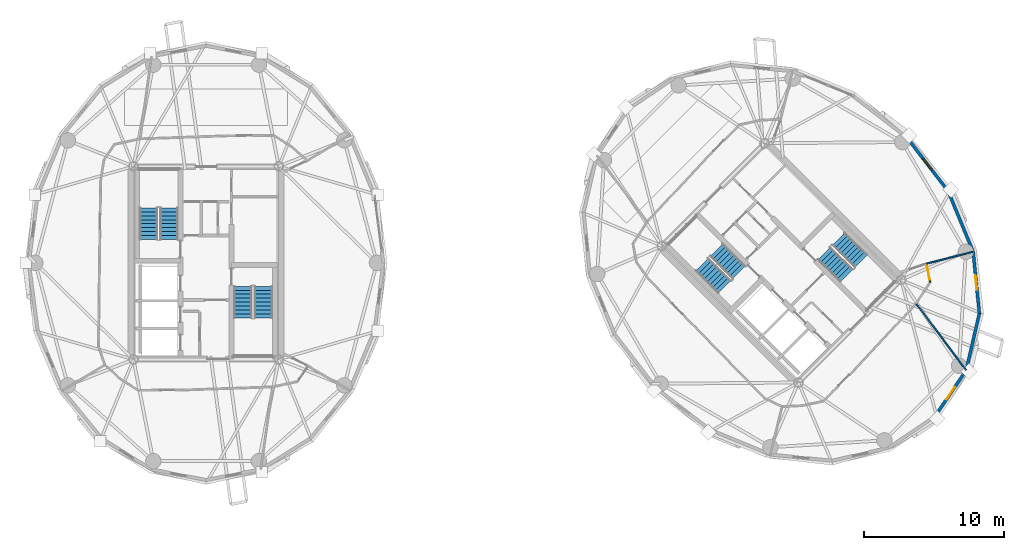
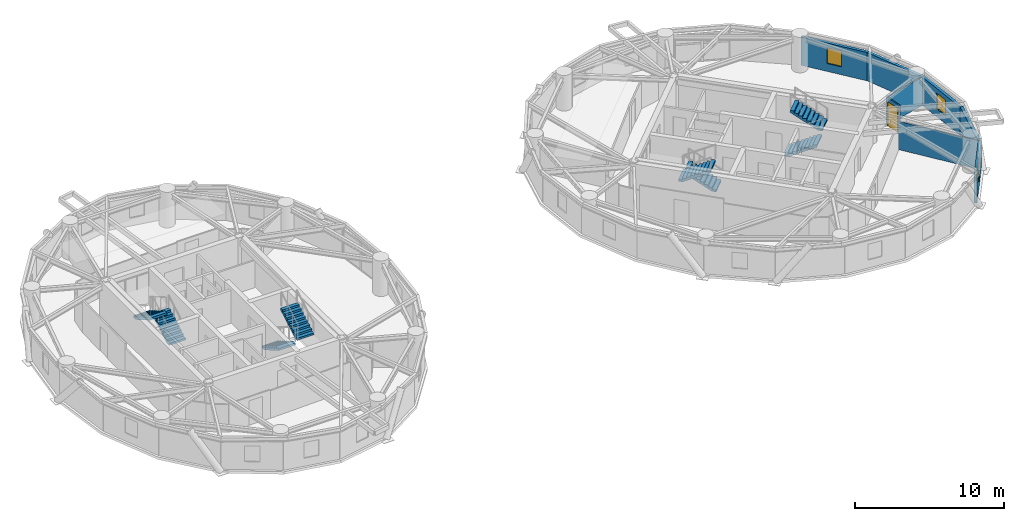
# One storey, part 12 of 14: 8 stair flights, 8 walls, 3 windows, 1 door, 4 openings, 4 elements without a shape of their own.
"""IFC4 building model written with IfcOpenShell, lengths in metres."""

from ifc_helpers import new_model, si_unit, direction, frame, frame_2d, origin, place, context, subcontext, project, spatial, polyline, rectangle, outline, extrude, source, transform, mapped, material, layer, layer_set, type_object, element, fill, aggregate, save


model = new_model("IFC4")

# Units and contexts
model_context = context("Model", 3, precision=1e-05, world=origin(), true_north=direction((0.0, 1.0)))
body_context = subcontext(model_context, "Body", "Model", "MODEL_VIEW")
ifc_project = project(units=[si_unit("LENGTHUNIT", "METRE"), si_unit("AREAUNIT", "SQUARE_METRE"), si_unit("VOLUMEUNIT", "CUBIC_METRE"), si_unit("PLANEANGLEUNIT", "RADIAN"), si_unit("MASSUNIT", "GRAM", prefix="KILO")], contexts=[model_context])

# Site, building, storey
site_placement = place(None, origin())
site = spatial("IfcSite", under=ifc_project, at=site_placement, CompositionType="ELEMENT")
building_placement = place(site_placement, origin())
building = spatial("IfcBuilding", under=site, at=building_placement, Name="Cununo Teusaquillo Station Towers", CompositionType="ELEMENT")
storey_placement = place(building_placement, frame((0.0, 0.0, 202.47998046875)))
storey = spatial("IfcBuildingStorey", under=building, at=storey_placement, Name="L64", CompositionType="ELEMENT", Elevation=202.47998046875)

# Wall, opening, window
ifc_material_1 = material(Name="Precast concrete C40/50", Category="concrete")
ifc_layer_1 = layer(ifc_material_1, 0.219970703125)
ifc_layer_set_1 = layer_set([ifc_layer_1], Name="Precast concrete C40/50")
wall_type_1 = type_object("IfcWallType", Name="WL-EXT-220", PredefinedType="SOLIDWALL", material=ifc_layer_set_1)
wall_1_placement = place(storey_placement, frame((70.663330078125, 16.856201171875, 0.0), z_axis=(0.0, 0.0, 1.0), x_axis=(-0.559495003079, -0.828833723692, 0.0)))
wall_1 = element("IfcWall", 1, at=wall_1_placement, inside=storey, type_object=wall_type_1, Name="L64 Tower B Exterior Facade Wall C15", PredefinedType="SOLIDWALL", context=body_context, shape_type="SweptSolid", body=[
    extrude(rectangle(XDim=3.9755859375, YDim=0.219970703125, at=frame_2d((1.98779296875, 0.0))), origin(), (0.0, 0.0, 1.0), 2.322021484375),
])
shared_shape_1 = source(origin(), body_context, "Body", "SweptSolid", [
    extrude(rectangle(XDim=1.050048828125, YDim=1.300048828125, at=frame_2d((0.52490234375, 0.64990234375))), frame((0.0, 0.119873046875, 0.0), z_axis=(0.0, -1.0, 0.0), x_axis=(1.0, 0.0, 0.0)), (0.0, 0.0, 1.0), 0.239990234375),
])
opening_1_placement = place(wall_1_placement, frame((1.462890625, 0.0, 0.64990234375)))
opening_1 = element("IfcOpeningElement", 2, at=opening_1_placement, cuts=wall_1, Name="Opening WN-04", PredefinedType="OPENING", context=body_context, shape_type="MappedRepresentation", body=[
    mapped(shared_shape_1, transform((0.0, 0.0, 0.0), x_axis=(1.0, 0.0, 0.0), y_axis=(0.0, 1.0, 0.0), z_axis=(0.0, 0.0, 1.0), scale=1.0)),
])
ifc_material_2 = material(Name="Operable acoustic tinted low-E double glazing", Category="glass")
window_type = type_object("IfcWindowType", Name="WIN-BAL-1050", PartitioningType="SINGLE_PANEL", PredefinedType="WINDOW", material=ifc_material_2)
shared_shape_2 = source(origin(), body_context, "Body", "SweptSolid", [
    extrude(rectangle(XDim=1.050048828125, YDim=1.300048828125, at=frame_2d((0.52490234375, 0.64990234375))), frame((0.0, 0.030029296875, 0.0), z_axis=(0.0, -1.0, 0.0), x_axis=(1.0, 0.0, 0.0)), (0.0, 0.0, 1.0), 0.06005859375),
])
window_1_placement = place(opening_1_placement, origin())
window_1 = element("IfcWindow", 3, at=window_1_placement, inside=storey, type_object=window_type, Name="L64 Tower B Facade Window C15", OverallHeight=1.300048828125, OverallWidth=1.050048828125, PartitioningType="SINGLE_PANEL", PredefinedType="WINDOW", context=body_context, shape_type="MappedRepresentation", body=[
    mapped(shared_shape_2, transform((0.0, 0.0, 0.0), x_axis=(1.0, 0.0, 0.0), y_axis=(0.0, 1.0, 0.0), z_axis=(0.0, 0.0, 1.0), scale=1.0)),
])
fill(opening_1, window_1)

# Wall
wall_2_placement = place(storey_placement, frame((71.59912109375, 20.899658203125, 0.0), z_axis=(0.0, 0.0, 1.0), x_axis=(-0.225473813158, -0.974249228678, 0.0)))
element("IfcWall", 4, at=wall_2_placement, inside=storey, type_object=wall_type_1, Name="L64 Tower B Exterior Facade Wall C16", PredefinedType="SOLIDWALL", context=body_context, shape_type="SweptSolid", body=[
    extrude(rectangle(XDim=4.150390625, YDim=0.219970703125, at=frame_2d((2.0751953125, 0.0))), origin(), (0.0, 0.0, 1.0), 2.322021484375),
])

# Wall, opening, window
wall_3_placement = place(storey_placement, frame((71.15478515625, 25.29541015625, 0.0), z_axis=(0.0, 0.0, 1.0), x_axis=(0.100570534541, -0.994929930991, 0.0)))
wall_3 = element("IfcWall", 5, at=wall_3_placement, inside=storey, type_object=wall_type_1, Name="L64 Tower B Exterior Facade Wall C17", PredefinedType="SOLIDWALL", context=body_context, shape_type="SweptSolid", body=[
    extrude(rectangle(XDim=4.418212890625, YDim=0.219970703125, at=frame_2d((2.208984375, 0.0))), origin(), (0.0, 0.0, 1.0), 2.322021484375),
])
opening_2_placement = place(wall_3_placement, frame((1.68408203125, 0.0, 0.64990234375)))
opening_2 = element("IfcOpeningElement", 6, at=opening_2_placement, cuts=wall_3, Name="Opening WN-04", PredefinedType="OPENING", context=body_context, shape_type="MappedRepresentation", body=[
    mapped(shared_shape_1, transform((0.0, 0.0, 0.0), x_axis=(1.0, 0.0, 0.0), y_axis=(0.0, 1.0, 0.0), z_axis=(0.0, 0.0, 1.0), scale=1.0)),
])
window_2_placement = place(opening_2_placement, origin())
window_2 = element("IfcWindow", 7, at=window_2_placement, inside=storey, type_object=window_type, Name="L64 Tower B Facade Window C17", OverallHeight=1.300048828125, OverallWidth=1.050048828125, PartitioningType="SINGLE_PANEL", PredefinedType="WINDOW", context=body_context, shape_type="MappedRepresentation", body=[
    mapped(shared_shape_2, transform((0.0, 0.0, 0.0), x_axis=(1.0, 0.0, 0.0), y_axis=(0.0, 1.0, 0.0), z_axis=(0.0, 0.0, 1.0), scale=1.0)),
])
fill(opening_2, window_2)

# Wall
wall_4_placement = place(storey_placement, frame((69.373779296875, 29.61328125, 0.0), z_axis=(0.0, 0.0, 1.0), x_axis=(0.381309704956, -0.924447353237, 0.0)))
element("IfcWall", 8, at=wall_4_placement, inside=storey, type_object=wall_type_1, Name="L64 Tower B Exterior Facade Wall C18", PredefinedType="SOLIDWALL", context=body_context, shape_type="SweptSolid", body=[
    extrude(rectangle(XDim=4.670654296875, YDim=0.219970703125, at=frame_2d((2.33544921875, 0.0))), origin(), (0.0, 0.0, 1.0), 2.322021484375),
])

# Wall, opening, window
wall_5_placement = place(storey_placement, frame((66.430908203125, 33.430908203125, 0.0), z_axis=(0.0, 0.0, 1.0), x_axis=(0.610523083886, -0.791998462147, 0.0)))
wall_5 = element("IfcWall", 9, at=wall_5_placement, inside=storey, type_object=wall_type_1, Name="L64 Tower B Exterior Facade Wall C19", PredefinedType="SOLIDWALL", context=body_context, shape_type="SweptSolid", body=[
    extrude(rectangle(XDim=4.8203125, YDim=0.219970703125, at=frame_2d((2.41015625, 0.0))), origin(), (0.0, 0.0, 1.0), 2.322021484375),
])
opening_3_placement = place(wall_5_placement, frame((1.885009765625, 0.0, 0.64990234375)))
opening_3 = element("IfcOpeningElement", 10, at=opening_3_placement, cuts=wall_5, Name="Opening WN-04", PredefinedType="OPENING", context=body_context, shape_type="MappedRepresentation", body=[
    mapped(shared_shape_1, transform((0.0, 0.0, 0.0), x_axis=(1.0, 0.0, 0.0), y_axis=(0.0, 1.0, 0.0), z_axis=(0.0, 0.0, 1.0), scale=1.0)),
])
window_3_placement = place(opening_3_placement, origin())
window_3 = element("IfcWindow", 11, at=window_3_placement, inside=storey, type_object=window_type, Name="L64 Tower B Facade Window C19", OverallHeight=1.300048828125, OverallWidth=1.050048828125, PartitioningType="SINGLE_PANEL", PredefinedType="WINDOW", context=body_context, shape_type="MappedRepresentation", body=[
    mapped(shared_shape_2, transform((0.0, 0.0, 0.0), x_axis=(1.0, 0.0, 0.0), y_axis=(0.0, 1.0, 0.0), z_axis=(0.0, 0.0, 1.0), scale=1.0)),
])
fill(opening_3, window_3)

# Wall, opening, door
ifc_material_3 = material(Name="Fire-rated gypsum plasterboard partition assembly", Category="gypsum")
ifc_layer_2 = layer(ifc_material_3, 0.10009765625)
ifc_layer_set_2 = layer_set([ifc_layer_2], Name="Fire-rated gypsum plasterboard partition assembly")
wall_type_2 = type_object("IfcWallType", Name="WL-PART-100", PredefinedType="MOVABLE", material=ifc_layer_set_2)
wall_6_placement = place(storey_placement, frame((68.08642578125, 23.12939453125, 0.0), z_axis=(0.0, 0.0, 1.0), x_axis=(-0.182004193146, 0.983297754334, 0.0)))
wall_6 = element("IfcWall", 12, at=wall_6_placement, inside=storey, type_object=wall_type_2, Name="L64 Tower B Corridor Ring Wall C17", PredefinedType="MOVABLE", context=body_context, shape_type="SweptSolid", body=[
    extrude(rectangle(XDim=1.3359375, YDim=0.10009765625, at=frame_2d((0.66796875, 0.0))), origin(), (0.0, 0.0, 1.0), 2.322021484375),
])
shared_shape_3 = source(origin(), body_context, "Body", "SweptSolid", [
    extrude(rectangle(XDim=1.0, YDim=2.014892578125, at=frame_2d((0.5, 1.00732421875))), frame((0.0, 0.06005859375, 0.0), z_axis=(0.0, -1.0, 0.0), x_axis=(1.0, 0.0, 0.0)), (0.0, 0.0, 1.0), 0.1201171875),
])
opening_4_placement = place(wall_6_placement, frame((0.16796875, 0.0, 0.0)))
opening_4 = element("IfcOpeningElement", 13, at=opening_4_placement, cuts=wall_6, Name="Opening D-AC1", PredefinedType="OPENING", context=body_context, shape_type="MappedRepresentation", body=[
    mapped(shared_shape_3, transform((0.0, 0.0, 0.0), x_axis=(1.0, 0.0, 0.0), y_axis=(0.0, 1.0, 0.0), z_axis=(0.0, 0.0, 1.0), scale=1.0)),
])
ifc_material_4 = material(Name="Acoustic solid-core hardwood leaf assembly", Category="wood")
door_type = type_object("IfcDoorType", Name="DR-ACC-1000", OperationType="NOTDEFINED", PredefinedType="DOOR", material=ifc_material_4)
shared_shape_4 = source(origin(), body_context, "Body", "SweptSolid", [
    extrude(rectangle(XDim=1.0, YDim=2.014892578125, at=frame_2d((0.5, 1.00732421875))), frame((0.0, 0.02490234375, 0.0), z_axis=(0.0, -1.0, 0.0), x_axis=(1.0, 0.0, 0.0)), (0.0, 0.0, 1.0), 0.050048828125),
])
door_placement = place(opening_4_placement, origin())
door = element("IfcDoor", 14, at=door_placement, inside=storey, type_object=door_type, Name="L64 Tower B Public Accessible Restroom WC Entrance Door", OperationType="SINGLE_SWING_LEFT", OverallHeight=2.014892578125, OverallWidth=1.0, PredefinedType="DOOR", context=body_context, shape_type="MappedRepresentation", body=[
    mapped(shared_shape_4, transform((0.0, 0.0, 0.0), x_axis=(1.0, 0.0, 0.0), y_axis=(0.0, 1.0, 0.0), z_axis=(0.0, 0.0, 1.0), scale=1.0)),
])
fill(opening_4, door)

# Walls
wall_7_placement = place(storey_placement, frame((67.09521484375, 21.599609375, 0.0), z_axis=(0.0, 0.0, 1.0), x_axis=(0.599947190798, -0.800039604178, 0.0)))
element("IfcWall", 15, at=wall_7_placement, inside=storey, type_object=wall_type_2, Name="L64 Tower B Radial Suite Partition R04", PredefinedType="MOVABLE", context=body_context, shape_type="SweptSolid", body=[
    extrude(rectangle(XDim=5.917724609375, YDim=0.10009765625, at=frame_2d((2.958984375, 0.0))), origin(), (0.0, 0.0, 1.0), 2.322021484375),
])
wall_8_placement = place(storey_placement, frame((67.84326171875, 24.443115234375, 0.0), z_axis=(0.0, 0.0, 1.0), x_axis=(0.968303102463, 0.249778105048, 0.0)))
element("IfcWall", 16, at=wall_8_placement, inside=storey, type_object=wall_type_2, Name="L64 Tower B Radial Suite Partition R05", PredefinedType="MOVABLE", context=body_context, shape_type="SweptSolid", body=[
    extrude(rectangle(XDim=3.3994140625, YDim=0.10009765625, at=frame_2d((1.69970703125, 0.0))), origin(), (0.0, 0.0, 1.0), 2.322021484375),
])

# Stair, stair flights
ifc_material_5 = material(Name="Concrete C50/60", Category="concrete")
stair_type = type_object("IfcStairType", Name="ST-TWR-1300", PredefinedType="HALF_TURN_STAIR", material=ifc_material_5)
stair_1_placement = place(storey_placement, origin())
stair_1 = element("IfcStair", 17, at=stair_1_placement, inside=storey, type_object=stair_type, Name="L64 Tower A Protected Core Exit Stair 1", PredefinedType="HALF_TURN_STAIR")
ifc_material_6 = material(Name="Concrete C50/60", Category="concrete")
stair_flight_type = type_object("IfcStairFlightType", Name="SFL-TWR-1300", PredefinedType="STRAIGHT", material=ifc_material_6)
stair_flight_1_placement = place(storey_placement, frame((13.8701171875, 26.169921875, 0.0), z_axis=(0.0, 0.0, 1.0), x_axis=(0.0, 1.0, 0.0)))
stair_flight_1 = element("IfcStairFlight", 18, at=stair_flight_1_placement, type_object=stair_flight_type, Name="ST-T1-1 flight 1", NumberOfRisers=9, NumberOfTreads=8, PredefinedType="STRAIGHT", RiserHeight=0.161666667, TreadLength=0.28, context=body_context, shape_type="SweptSolid", body=[
    extrude(outline(polyline([(0.0, 0.0), (0.0, 0.16162109375), (0.280029296875, 0.16162109375), (0.280029296875, 0.3232421875), (0.56005859375, 0.3232421875), (0.56005859375, 0.485107421875), (0.840087890625, 0.485107421875), (0.840087890625, 0.646728515625), (1.1201171875, 0.646728515625), (1.1201171875, 0.808349609375), (1.39990234375, 0.808349609375), (1.39990234375, 0.969970703125), (1.679931640625, 0.969970703125), (1.679931640625, 1.131591796875), (1.9599609375, 1.131591796875), (1.9599609375, 1.293212890625), (2.239990234375, 1.293212890625), (2.239990234375, 1.455078125), (2.239990234375, 1.1201171875), (0.2998046875, 0.0), (0.0, 0.0)])), frame((0.0, 0.64990234375, 0.0), z_axis=(0.0, -1.0, 0.0), x_axis=(1.0, 0.0, 0.0)), (0.0, 0.0, 1.0), 1.300048828125),
])
stair_flight_2_placement = place(storey_placement, frame((12.409912109375, 28.409912109375, 1.455078125), z_axis=(0.0, 0.0, 1.0), x_axis=(0.0, -1.0, 0.0)))
stair_flight_2 = element("IfcStairFlight", 19, at=stair_flight_2_placement, type_object=stair_flight_type, Name="ST-T1-1 flight 2", NumberOfRisers=9, NumberOfTreads=8, PredefinedType="STRAIGHT", RiserHeight=0.161666667, TreadLength=0.28, context=body_context, shape_type="SweptSolid", body=[
    extrude(outline(polyline([(0.0, 0.0), (0.0, 0.16162109375), (0.280029296875, 0.16162109375), (0.280029296875, 0.3232421875), (0.56005859375, 0.3232421875), (0.56005859375, 0.485107421875), (0.840087890625, 0.485107421875), (0.840087890625, 0.646728515625), (1.1201171875, 0.646728515625), (1.1201171875, 0.808349609375), (1.39990234375, 0.808349609375), (1.39990234375, 0.969970703125), (1.679931640625, 0.969970703125), (1.679931640625, 1.131591796875), (1.9599609375, 1.131591796875), (1.9599609375, 1.293212890625), (2.239990234375, 1.293212890625), (2.239990234375, 1.455078125), (2.239990234375, 1.1201171875), (0.2998046875, 0.0), (0.0, 0.0)])), frame((0.0, 0.64990234375, 0.0), z_axis=(0.0, -1.0, 0.0), x_axis=(1.0, 0.0, 0.0)), (0.0, 0.0, 1.0), 1.300048828125),
])
aggregate(stair_1, [stair_flight_1, stair_flight_2])

stair_2_placement = place(storey_placement, origin())
stair_2 = element("IfcStair", 20, at=stair_2_placement, inside=storey, type_object=stair_type, Name="L64 Tower A Protected Core Exit Stair 2", PredefinedType="HALF_TURN_STAIR")
stair_flight_3_placement = place(storey_placement, frame((19.1298828125, 22.830078125, 0.0), z_axis=(0.0, 0.0, 1.0), x_axis=(0.0, -1.0, 0.0)))
stair_flight_3 = element("IfcStairFlight", 21, at=stair_flight_3_placement, type_object=stair_flight_type, Name="ST-T1-2 flight 1", NumberOfRisers=9, NumberOfTreads=8, PredefinedType="STRAIGHT", RiserHeight=0.161666667, TreadLength=0.28, context=body_context, shape_type="SweptSolid", body=[
    extrude(outline(polyline([(0.0, 0.0), (0.0, 0.16162109375), (0.280029296875, 0.16162109375), (0.280029296875, 0.3232421875), (0.56005859375, 0.3232421875), (0.56005859375, 0.485107421875), (0.840087890625, 0.485107421875), (0.840087890625, 0.646728515625), (1.1201171875, 0.646728515625), (1.1201171875, 0.808349609375), (1.39990234375, 0.808349609375), (1.39990234375, 0.969970703125), (1.679931640625, 0.969970703125), (1.679931640625, 1.131591796875), (1.9599609375, 1.131591796875), (1.9599609375, 1.293212890625), (2.239990234375, 1.293212890625), (2.239990234375, 1.455078125), (2.239990234375, 1.1201171875), (0.2998046875, 0.0), (0.0, 0.0)])), frame((0.0, 0.64990234375, 0.0), z_axis=(0.0, -1.0, 0.0), x_axis=(1.0, 0.0, 0.0)), (0.0, 0.0, 1.0), 1.300048828125),
])
stair_flight_4_placement = place(storey_placement, frame((20.590087890625, 20.590087890625, 1.455078125), z_axis=(0.0, 0.0, 1.0), x_axis=(0.0, 1.0, 0.0)))
stair_flight_4 = element("IfcStairFlight", 22, at=stair_flight_4_placement, type_object=stair_flight_type, Name="ST-T1-2 flight 2", NumberOfRisers=9, NumberOfTreads=8, PredefinedType="STRAIGHT", RiserHeight=0.161666667, TreadLength=0.28, context=body_context, shape_type="SweptSolid", body=[
    extrude(outline(polyline([(0.0, 0.0), (0.0, 0.16162109375), (0.280029296875, 0.16162109375), (0.280029296875, 0.3232421875), (0.56005859375, 0.3232421875), (0.56005859375, 0.485107421875), (0.840087890625, 0.485107421875), (0.840087890625, 0.646728515625), (1.1201171875, 0.646728515625), (1.1201171875, 0.808349609375), (1.39990234375, 0.808349609375), (1.39990234375, 0.969970703125), (1.679931640625, 0.969970703125), (1.679931640625, 1.131591796875), (1.9599609375, 1.131591796875), (1.9599609375, 1.293212890625), (2.239990234375, 1.293212890625), (2.239990234375, 1.455078125), (2.239990234375, 1.1201171875), (0.2998046875, 0.0), (0.0, 0.0)])), frame((0.0, 0.64990234375, 0.0), z_axis=(0.0, -1.0, 0.0), x_axis=(1.0, 0.0, 0.0)), (0.0, 0.0, 1.0), 1.300048828125),
])
aggregate(stair_2, [stair_flight_3, stair_flight_4])

stair_3_placement = place(storey_placement, origin())
stair_3 = element("IfcStair", 23, at=stair_3_placement, inside=storey, type_object=stair_type, Name="L64 Tower B Protected Core Exit Stair 1", PredefinedType="HALF_TURN_STAIR")
stair_flight_5_placement = place(storey_placement, frame((54.45947265625, 23.8212890625, 0.0), z_axis=(0.0, 0.0, 1.0), x_axis=(-0.707106781187, 0.707106781187, 0.0)))
stair_flight_5 = element("IfcStairFlight", 24, at=stair_flight_5_placement, type_object=stair_flight_type, Name="ST-T2-1 flight 1", NumberOfRisers=9, NumberOfTreads=8, PredefinedType="STRAIGHT", RiserHeight=0.161666667, TreadLength=0.28, context=body_context, shape_type="SweptSolid", body=[
    extrude(outline(polyline([(0.0, 0.0), (0.0, 0.16162109375), (0.280029296875, 0.16162109375), (0.280029296875, 0.3232421875), (0.56005859375, 0.3232421875), (0.56005859375, 0.485107421875), (0.840087890625, 0.485107421875), (0.840087890625, 0.646728515625), (1.1201171875, 0.646728515625), (1.1201171875, 0.808349609375), (1.39990234375, 0.808349609375), (1.39990234375, 0.969970703125), (1.679931640625, 0.969970703125), (1.679931640625, 1.131591796875), (1.9599609375, 1.131591796875), (1.9599609375, 1.293212890625), (2.239990234375, 1.293212890625), (2.239990234375, 1.455078125), (2.239990234375, 1.1201171875), (0.2998046875, 0.0), (0.0, 0.0)])), frame((0.0, 0.64990234375, 0.0), z_axis=(0.0, -1.0, 0.0), x_axis=(1.0, 0.0, 0.0)), (0.0, 0.0, 1.0), 1.300048828125),
])
stair_flight_6_placement = place(storey_placement, frame((51.84326171875, 24.372802734375, 1.455078125), z_axis=(0.0, 0.0, 1.0), x_axis=(0.707106781187, -0.707106781187, 0.0)))
stair_flight_6 = element("IfcStairFlight", 25, at=stair_flight_6_placement, type_object=stair_flight_type, Name="ST-T2-1 flight 2", NumberOfRisers=9, NumberOfTreads=8, PredefinedType="STRAIGHT", RiserHeight=0.161666667, TreadLength=0.28, context=body_context, shape_type="SweptSolid", body=[
    extrude(outline(polyline([(0.0, 0.0), (0.0, 0.16162109375), (0.280029296875, 0.16162109375), (0.280029296875, 0.3232421875), (0.56005859375, 0.3232421875), (0.56005859375, 0.485107421875), (0.840087890625, 0.485107421875), (0.840087890625, 0.646728515625), (1.1201171875, 0.646728515625), (1.1201171875, 0.808349609375), (1.39990234375, 0.808349609375), (1.39990234375, 0.969970703125), (1.679931640625, 0.969970703125), (1.679931640625, 1.131591796875), (1.9599609375, 1.131591796875), (1.9599609375, 1.293212890625), (2.239990234375, 1.293212890625), (2.239990234375, 1.455078125), (2.239990234375, 1.1201171875), (0.2998046875, 0.0), (0.0, 0.0)])), frame((0.0, 0.64990234375, 0.0), z_axis=(0.0, -1.0, 0.0), x_axis=(1.0, 0.0, 0.0)), (0.0, 0.0, 1.0), 1.300048828125),
])
aggregate(stair_3, [stair_flight_5, stair_flight_6])

stair_4_placement = place(storey_placement, origin())
stair_4 = element("IfcStair", 26, at=stair_4_placement, inside=storey, type_object=stair_type, Name="L64 Tower B Protected Core Exit Stair 2", PredefinedType="HALF_TURN_STAIR")
stair_flight_7_placement = place(storey_placement, frame((60.54052734375, 25.1787109375, 0.0), z_axis=(0.0, 0.0, 1.0), x_axis=(0.707106781187, -0.707106781187, 0.0)))
stair_flight_7 = element("IfcStairFlight", 27, at=stair_flight_7_placement, type_object=stair_flight_type, Name="ST-T2-2 flight 1", NumberOfRisers=9, NumberOfTreads=8, PredefinedType="STRAIGHT", RiserHeight=0.161666667, TreadLength=0.28, context=body_context, shape_type="SweptSolid", body=[
    extrude(outline(polyline([(0.0, 0.0), (0.0, 0.16162109375), (0.280029296875, 0.16162109375), (0.280029296875, 0.3232421875), (0.56005859375, 0.3232421875), (0.56005859375, 0.485107421875), (0.840087890625, 0.485107421875), (0.840087890625, 0.646728515625), (1.1201171875, 0.646728515625), (1.1201171875, 0.808349609375), (1.39990234375, 0.808349609375), (1.39990234375, 0.969970703125), (1.679931640625, 0.969970703125), (1.679931640625, 1.131591796875), (1.9599609375, 1.131591796875), (1.9599609375, 1.293212890625), (2.239990234375, 1.293212890625), (2.239990234375, 1.455078125), (2.239990234375, 1.1201171875), (0.2998046875, 0.0), (0.0, 0.0)])), frame((0.0, 0.64990234375, 0.0), z_axis=(0.0, -1.0, 0.0), x_axis=(1.0, 0.0, 0.0)), (0.0, 0.0, 1.0), 1.300048828125),
])
stair_flight_8_placement = place(storey_placement, frame((63.15673828125, 24.627197265625, 1.455078125), z_axis=(0.0, 0.0, 1.0), x_axis=(-0.707106781187, 0.707106781187, 0.0)))
stair_flight_8 = element("IfcStairFlight", 28, at=stair_flight_8_placement, type_object=stair_flight_type, Name="ST-T2-2 flight 2", NumberOfRisers=9, NumberOfTreads=8, PredefinedType="STRAIGHT", RiserHeight=0.161666667, TreadLength=0.28, context=body_context, shape_type="SweptSolid", body=[
    extrude(outline(polyline([(0.0, 0.0), (0.0, 0.16162109375), (0.280029296875, 0.16162109375), (0.280029296875, 0.3232421875), (0.56005859375, 0.3232421875), (0.56005859375, 0.485107421875), (0.840087890625, 0.485107421875), (0.840087890625, 0.646728515625), (1.1201171875, 0.646728515625), (1.1201171875, 0.808349609375), (1.39990234375, 0.808349609375), (1.39990234375, 0.969970703125), (1.679931640625, 0.969970703125), (1.679931640625, 1.131591796875), (1.9599609375, 1.131591796875), (1.9599609375, 1.293212890625), (2.239990234375, 1.293212890625), (2.239990234375, 1.455078125), (2.239990234375, 1.1201171875), (0.2998046875, 0.0), (0.0, 0.0)])), frame((0.0, 0.64990234375, 0.0), z_axis=(0.0, -1.0, 0.0), x_axis=(1.0, 0.0, 0.0)), (0.0, 0.0, 1.0), 1.300048828125),
])
aggregate(stair_4, [stair_flight_7, stair_flight_8])

save(model, "model.ifc")
